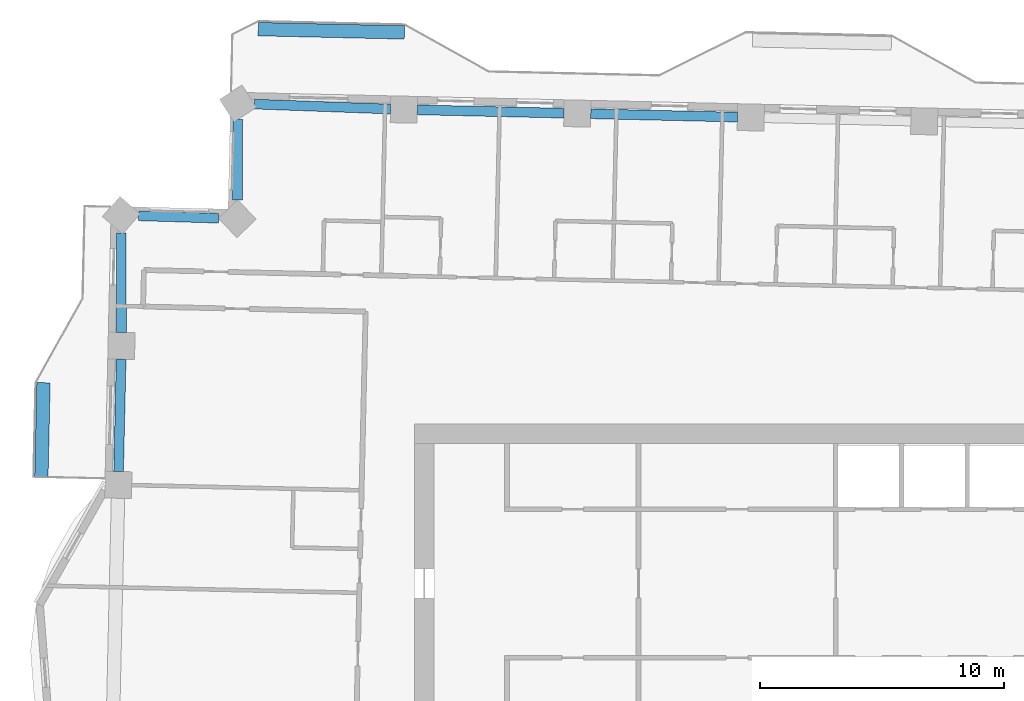
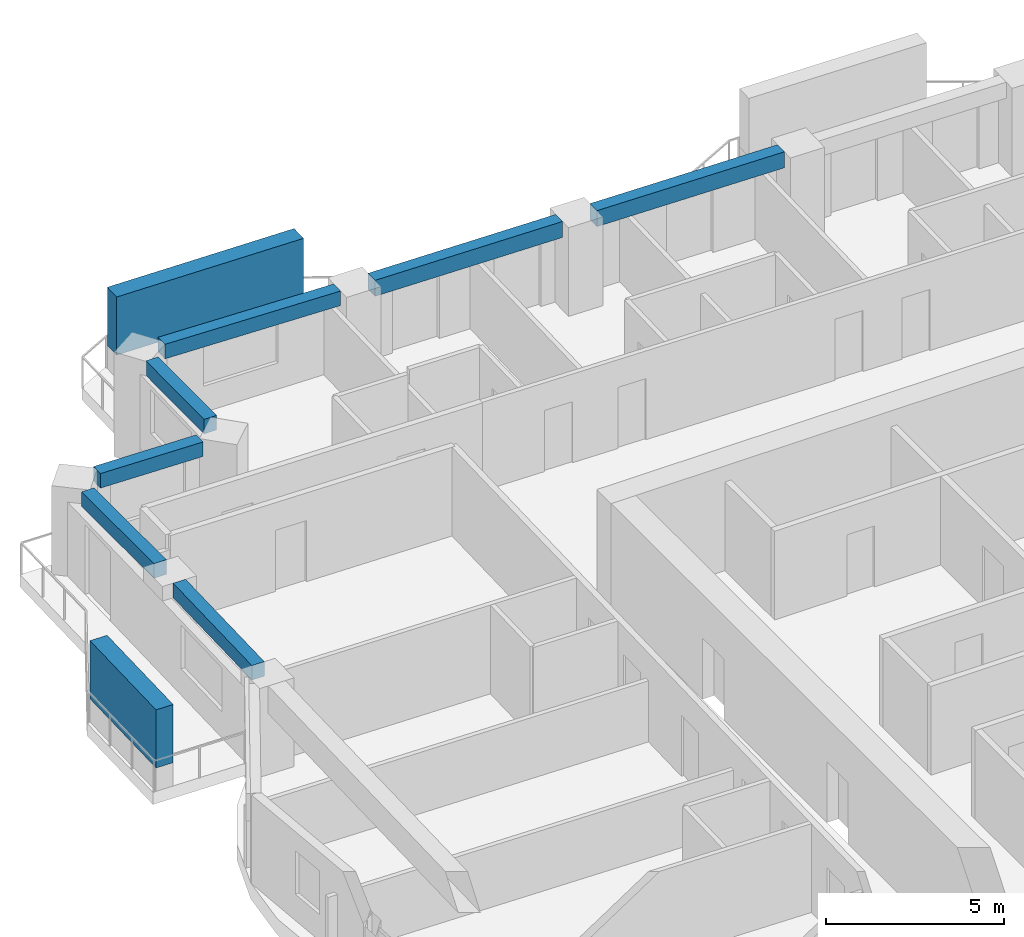
# One storey, part 3 of 16: 7 beams, 2 members.
"""IFC4 building model written with IfcOpenShell, lengths in metres."""

from ifc_helpers import new_model, si_unit, direction, frame, origin, origin_2d, place, context, subcontext, project, spatial, rectangle, extrude, material, material_profile, profile_set, type_object, element, save


model = new_model("IFC4")

# Units and contexts
model_context = context("Model", 3, precision=1e-05, world=origin(), true_north=direction((0.0, 1.0)))
body_context = subcontext(model_context, "Body", "Model", "MODEL_VIEW")
ifc_project = project(units=[si_unit("LENGTHUNIT", "METRE"), si_unit("AREAUNIT", "SQUARE_METRE"), si_unit("VOLUMEUNIT", "CUBIC_METRE"), si_unit("PLANEANGLEUNIT", "RADIAN"), si_unit("MASSUNIT", "GRAM", prefix="KILO")], contexts=[model_context])

# Site, building, storey
site_placement = place(None, origin())
site = spatial("IfcSite", under=ifc_project, at=site_placement, CompositionType="ELEMENT")
building_placement = place(site_placement, origin())
building = spatial("IfcBuilding", under=site, at=building_placement, Name="Mangrove Gate Tower", CompositionType="ELEMENT")
storey_placement = place(building_placement, frame((0.0, 0.0, 212.300048828125)))
storey = spatial("IfcBuildingStorey", under=building, at=storey_placement, Name="L54", CompositionType="ELEMENT", Elevation=212.300048828125)

# Members
ifc_material_1 = material(Name="Planting on aluminium trellis", Category="aluminium")
ifc_material_profile_1 = material_profile(ifc_material_1, rectangle(XDim=0.550048828125, YDim=2.0, at=origin_2d()))
ifc_profile_set_1 = profile_set([ifc_material_profile_1], Name="Planting on aluminium trellis")
member_type = type_object("IfcMemberType", Name="Balcony greenery screen 550x2000", PredefinedType="USERDEFINED", material=ifc_profile_set_1)
member_1_placement = place(storey_placement, frame((-21.010986328125, 27.81201171875, 1.800048828125), z_axis=(0.999743094499, -0.022665943652, 0.0), x_axis=(0.022665943652, 0.999743094499, 0.0)))
element("IfcMember", 1, at=member_1_placement, inside=storey, type_object=member_type, Name="GREEN SCREEN L54 N1.1", ObjectType="PLANTING", PredefinedType="USERDEFINED", context=body_context, shape_type="SweptSolid", body=[
    extrude(rectangle(XDim=0.550048828125, YDim=2.0, at=origin_2d()), origin(), (0.0, 0.0, 1.0), 5.99951171875),
])
member_2_placement = place(storey_placement, frame((-29.91796875, 9.419921875, 1.800048828125), z_axis=(0.022681332769, 0.999742745482, 0.0), x_axis=(-0.999742745482, 0.022681332769, 0.0)))
element("IfcMember", 2, at=member_2_placement, inside=storey, type_object=member_type, Name="GREEN SCREEN L54 W0.1", ObjectType="PLANTING", PredefinedType="USERDEFINED", context=body_context, shape_type="SweptSolid", body=[
    extrude(rectangle(XDim=0.550048828125, YDim=2.0, at=origin_2d()), origin(), (0.0, 0.0, 1.0), 3.875),
])

# Beams
ifc_material_2 = material(Name="Concrete C50/60", Category="concrete")
ifc_material_profile_2 = material_profile(ifc_material_2, rectangle(XDim=0.39990234375, YDim=0.5, at=origin_2d()))
ifc_profile_set_2 = profile_set([ifc_material_profile_2], Name="Concrete C50/60")
beam_type_1 = type_object("IfcBeamType", Name="Edge beam RC 400x500 C50/60", PredefinedType="BEAM", material=ifc_profile_set_2)
beam_1_placement = place(storey_placement, frame((-15.582275390625, 24.5302734375, 2.800048828125), z_axis=(-0.999333407376, 0.036506724074, 0.0), x_axis=(-0.036506724074, -0.999333407376, 0.0)))
element("IfcBeam", 3, at=beam_1_placement, inside=storey, type_object=beam_type_1, Name="Edge beam L54 24", PredefinedType="BEAM", context=body_context, shape_type="SweptSolid", body=[
    extrude(rectangle(XDim=0.39990234375, YDim=0.5, at=origin_2d()), origin(), (0.0, 0.0, 1.0), 5.597412109375),
])
beam_2_placement = place(storey_placement, frame((-21.8486328125, 24.103271484375, 2.800048828125), z_axis=(-0.005526405917, -0.999984729302, 0.0), x_axis=(0.999984729302, -0.005526405917, 0.0)))
element("IfcBeam", 4, at=beam_2_placement, inside=storey, type_object=beam_type_1, Name="Edge beam L54 25", PredefinedType="BEAM", context=body_context, shape_type="SweptSolid", body=[
    extrude(rectangle(XDim=0.39990234375, YDim=0.5, at=origin_2d()), origin(), (0.0, 0.0, 1.0), 3.313232421875),
])
beam_3_placement = place(storey_placement, frame((-22.642822265625, 20.048583984375, 2.800048828125), z_axis=(-0.999548316967, 0.030052654614, 0.0), x_axis=(-0.030052654614, -0.999548316967, 0.0)))
element("IfcBeam", 5, at=beam_3_placement, inside=storey, type_object=beam_type_1, Name="Edge beam L54 26", PredefinedType="BEAM", context=body_context, shape_type="SweptSolid", body=[
    extrude(rectangle(XDim=0.39990234375, YDim=0.5, at=origin_2d()), origin(), (0.0, 0.0, 1.0), 3.281982421875),
])
beam_4_placement = place(storey_placement, frame((-26.63623046875, 19.435302734375, 2.800048828125), z_axis=(0.001317521913, -0.999999132068, 0.0), x_axis=(0.999999132068, 0.001317521913, 0.0)))
element("IfcBeam", 6, at=beam_4_placement, inside=storey, type_object=beam_type_1, Name="Edge beam L54 27", PredefinedType="BEAM", context=body_context, shape_type="SweptSolid", body=[
    extrude(rectangle(XDim=0.39990234375, YDim=0.5, at=origin_2d()), origin(), (0.0, 0.0, 1.0), 4.07666015625),
])
beam_5_placement = place(storey_placement, frame((-26.642578125, 14.2587890625, 2.800048828125), z_axis=(-0.022605956435, -0.999744452715, 0.0), x_axis=(0.999744452715, -0.022605956435, 0.0)))
element("IfcBeam", 7, at=beam_5_placement, inside=storey, type_object=beam_type_1, Name="Edge beam L54 28", PredefinedType="BEAM", context=body_context, shape_type="SweptSolid", body=[
    extrude(rectangle(XDim=0.39990234375, YDim=0.5, at=origin_2d()), origin(), (0.0, 0.0, 1.0), 4.611572265625),
])
ifc_material_3 = material(Name="Concrete C50/60", Category="concrete")
ifc_material_profile_3 = material_profile(ifc_material_3, rectangle(XDim=0.39990234375, YDim=0.550048828125, at=origin_2d()))
ifc_profile_set_3 = profile_set([ifc_material_profile_3], Name="Concrete C50/60")
beam_type_2 = type_object("IfcBeamType", Name="Edge beam RC 400x550 C50/60", PredefinedType="BEAM", material=ifc_profile_set_3)
for number, where, z_axis, x_axis, name in (
    (8, (-1.33837890625, 24.19970703125, 2.77490234375), (-0.999741479717, 0.022737056396, 0.0), (-0.022737056396, -0.999741479717, 0.0), "Edge beam L54 22"),
    (9, (-8.46044921875, 24.361572265625, 2.77490234375), (-0.999744236189, 0.022615530214, 0.0), (-0.022615530214, -0.999744236189, 0.0), "Edge beam L54 23"),
):
    element("IfcBeam", number, at=place(storey_placement, frame(where, z_axis=z_axis, x_axis=x_axis)), inside=storey, type_object=beam_type_2, Name=name, PredefinedType="BEAM", context=body_context, shape_type="SweptSolid", body=[
        extrude(rectangle(XDim=0.39990234375, YDim=0.550048828125, at=origin_2d()), origin(), (0.0, 0.0, 1.0), 6.023681640625),
    ])

save(model, "model.ifc")
